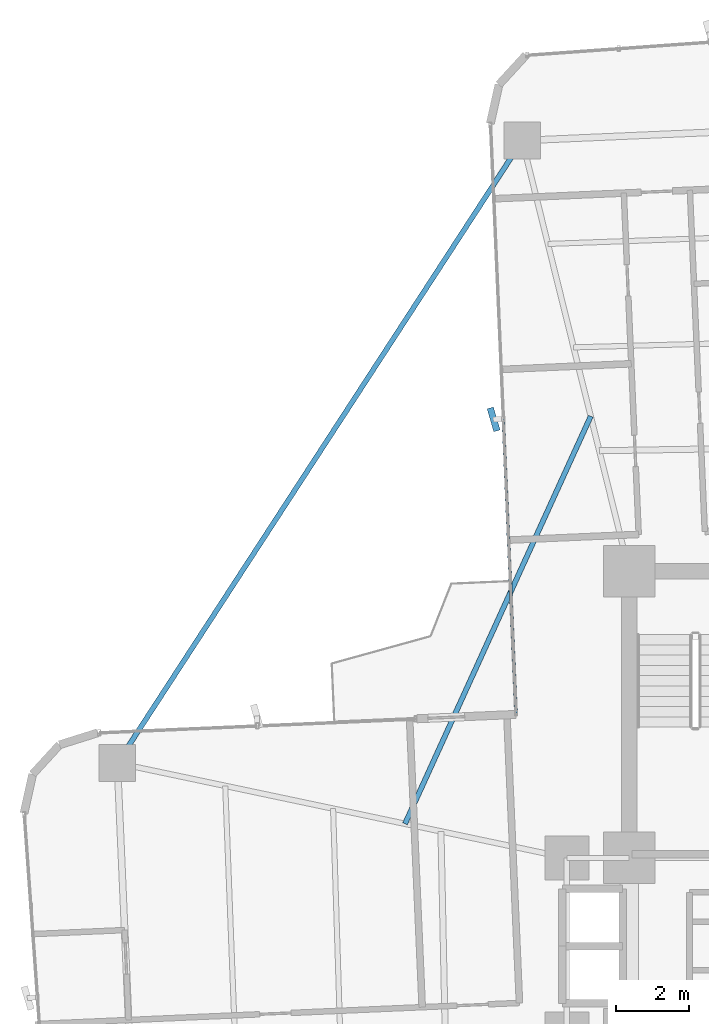
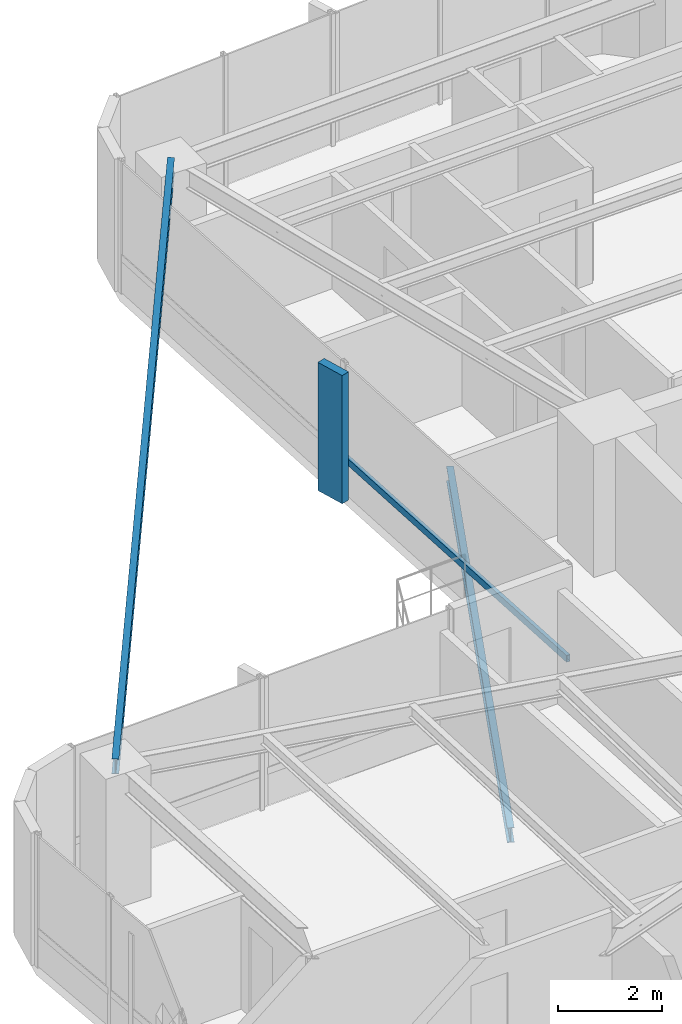
# One storey, part 16 of 26: 2 beams, 2 members, 1 element without a shape of its own.
"""IFC4 building model written with IfcOpenShell, lengths in metres."""

from ifc_helpers import new_model, si_unit, direction, frame, origin, origin_2d, place, context, subcontext, project, spatial, rectangle, hollow_rectangle, i_section, extrude, source, transform, mapped, material, material_profile, profile_set, type_object, element, aggregate, save


model = new_model("IFC4")

# Units and contexts
model_context = context("Model", 3, precision=1e-05, world=origin(), true_north=direction((0.0, 1.0)))
body_context = subcontext(model_context, "Body", "Model", "MODEL_VIEW")
ifc_project = project(units=[si_unit("LENGTHUNIT", "METRE"), si_unit("AREAUNIT", "SQUARE_METRE"), si_unit("VOLUMEUNIT", "CUBIC_METRE"), si_unit("PLANEANGLEUNIT", "RADIAN"), si_unit("MASSUNIT", "GRAM", prefix="KILO")], contexts=[model_context])

# Site, building, storey
site_placement = place(None, origin())
site = spatial("IfcSite", under=ifc_project, at=site_placement, CompositionType="ELEMENT")
building_placement = place(site_placement, origin())
building = spatial("IfcBuilding", under=site, at=building_placement, Name="Sahyath Konkavel Grand Hotel", CompositionType="ELEMENT")
storey_placement = place(building_placement, frame((0.0, 0.0, 100.25)))
storey = spatial("IfcBuildingStorey", under=building, at=storey_placement, Name="L27", CompositionType="ELEMENT", Elevation=100.25)

# Beam
ifc_material_1 = material(Name="Steel E350", Category="steel")
ifc_material_profile_1 = material_profile(ifc_material_1, i_section(OverallWidth=0.139892578125, OverallDepth=0.35009765625, WebThickness=0.008056640625, FlangeThickness=0.01416015625, FilletRadius=0.013916015625, at=origin_2d()), Name="ISMB 350")
ifc_profile_set_1 = profile_set([ifc_material_profile_1], Name="Steel E350")
beam_type_1 = type_object("IfcBeamType", Name="BM-ISMB350", PredefinedType="BEAM", material=ifc_profile_set_1)
shared_shape_1 = source(origin(), body_context, "Body", "SweptSolid", [
    extrude(i_section(OverallWidth=0.139892578125, OverallDepth=0.35009765625, WebThickness=0.008056640625, FlangeThickness=0.01416015625, FilletRadius=0.013916015625, at=origin_2d()), origin(), (0.0, 0.0, 1.0), 20.21533203125),
])
beam_1_placement = place(storey_placement, frame((-6.712890625, 21.927978515625, 2.93505859375), z_axis=(-0.545191244931, -0.838311700056, 0.0), x_axis=(0.838311700056, -0.545191244931, 0.0)))
element("IfcBeam", 1, at=beam_1_placement, inside=storey, type_object=beam_type_1, Name="L27 Re-Entrant Tie Beam NW", PredefinedType="BEAM", context=body_context, shape_type="MappedRepresentation", body=[
    mapped(shared_shape_1, transform((0.0, 0.0, 0.0), scale=1.0)),
])

# Curtain wall, members
ifc_material_2 = material(Name="Anodised Bronze Aluminium & Low-E Glazing", Category="aluminium")
curtain_wall_type = type_object("IfcCurtainWallType", Name="CW-ZONE2", PredefinedType="NOTDEFINED", material=ifc_material_2)
curtain_wall_placement = place(storey_placement, origin())
curtain_wall = element("IfcCurtainWall", 2, at=curtain_wall_placement, inside=storey, type_object=curtain_wall_type, Name="L27 Unitised Curtain Wall F15", PredefinedType="NOTDEFINED")
ifc_material_3 = material(Name="Warm Buff Sandstone Cladding on Concrete C50/60", Category="masonry")
ifc_material_profile_2 = material_profile(ifc_material_3, rectangle(XDim=0.179931640625, YDim=0.64990234375, at=origin_2d()), Name="FIN 180x650")
ifc_profile_set_2 = profile_set([ifc_material_profile_2], Name="Warm Buff Sandstone Cladding on Concrete C50/60")
member_type_1 = type_object("IfcMemberType", Name="FIN-SANDSTONE-650", PredefinedType="MULLION", material=ifc_profile_set_2)
shared_shape_2 = source(origin(), body_context, "Body", "SweptSolid", [
    extrude(rectangle(XDim=0.179931640625, YDim=0.64990234375, at=origin_2d()), origin(), (0.0, 0.0, 1.0), 3.010009765625),
])
member_1_placement = place(storey_placement, frame((-7.492431640625, 14.3369140625, 0.050048828125), z_axis=(0.0, 0.0, 1.0), x_axis=(0.959854262938, 0.280499187022, 0.0)))
member_1 = element("IfcMember", 3, at=member_1_placement, type_object=member_type_1, Name="L27 Sandstone Vertical Solar Fin FIN F15-1", PredefinedType="MULLION", context=body_context, shape_type="MappedRepresentation", body=[
    mapped(shared_shape_2, transform((0.0, 0.0, 0.0), scale=1.0)),
])
ifc_material_4 = material(Name="Anodised Bronze Aluminium", Category="aluminium")
ifc_material_profile_3 = material_profile(ifc_material_4, hollow_rectangle(XDim=0.080078125, YDim=0.159912109375, WallThickness=0.006103515625, at=origin_2d()), Name="RHS 160x80x6")
ifc_profile_set_3 = profile_set([ifc_material_profile_3], Name="Anodised Bronze Aluminium")
member_type_2 = type_object("IfcMemberType", Name="CW-TRN-160", PredefinedType="USERDEFINED", material=ifc_profile_set_3)
shared_shape_3 = source(origin(), body_context, "Body", "SweptSolid", [
    extrude(hollow_rectangle(XDim=0.080078125, YDim=0.159912109375, WallThickness=0.006103515625, at=origin_2d()), origin(), (0.0, 0.0, 1.0), 8.010009765625),
])
member_2_placement = place(storey_placement, frame((-7.232666015625, 14.34814453125, 0.85009765625), z_axis=(0.043615785896, -0.999048378819, 0.0), x_axis=(0.999048378819, 0.043615785896, 0.0)))
member_2 = element("IfcMember", 4, at=member_2_placement, type_object=member_type_2, Name="L27 Curtain Wall Transom F15-1-spandrel", ObjectType="TRANSOM", PredefinedType="USERDEFINED", context=body_context, shape_type="MappedRepresentation", body=[
    mapped(shared_shape_3, transform((0.0, 0.0, 0.0), scale=1.0)),
])
aggregate(curtain_wall, [member_1, member_2])

# Beam
ifc_material_profile_4 = material_profile(ifc_material_1, i_section(OverallWidth=0.139892578125, OverallDepth=0.35009765625, WebThickness=0.008056640625, FlangeThickness=0.01416015625, FilletRadius=0.013916015625, at=origin_2d()), Name="ISMB 350")
ifc_profile_set_4 = profile_set([ifc_material_profile_4], Name="Steel E350")
beam_type_2 = type_object("IfcBeamType", Name="BM-BALC-CANT", PredefinedType="BEAM", material=ifc_profile_set_4)
shared_shape_4 = source(origin(), body_context, "Body", "SweptSolid", [
    extrude(i_section(OverallWidth=0.139892578125, OverallDepth=0.35009765625, WebThickness=0.008056640625, FlangeThickness=0.01416015625, FilletRadius=0.013916015625, at=origin_2d()), origin(), (0.0, 0.0, 1.0), 12.190673828125),
])
beam_2_placement = place(storey_placement, frame((-4.8486328125, 14.422119140625, -0.4150390625), z_axis=(-0.414712580086, -0.909952458054, 0.0), x_axis=(0.909952458054, -0.414712580086, 0.0)))
element("IfcBeam", 5, at=beam_2_placement, inside=storey, type_object=beam_type_2, Name="L27 Balcony Cantilever Support Beam NW", PredefinedType="BEAM", context=body_context, shape_type="MappedRepresentation", body=[
    mapped(shared_shape_4, transform((0.0, 0.0, 0.0), scale=1.0)),
])

save(model, "model.ifc")
